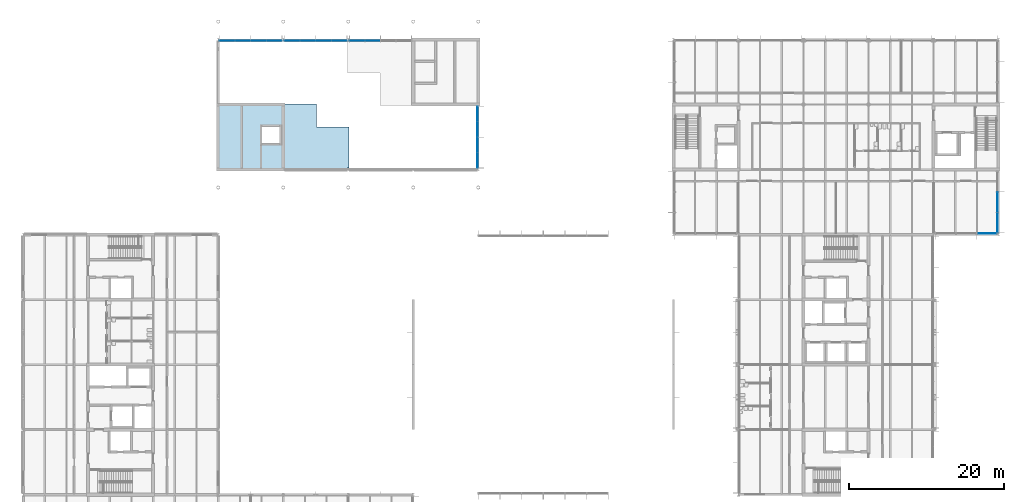
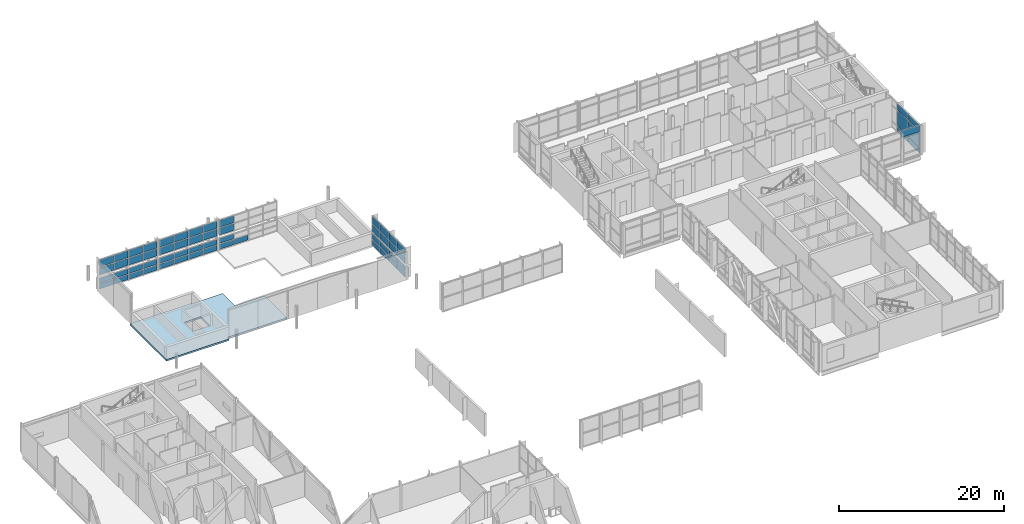
# One storey, part 35 of 72: 60 plates, 1 slab, 10 elements without a shape of their own.
"""IFC4 building model written with IfcOpenShell, lengths in metres."""

from ifc_helpers import new_model, si_unit, direction, frame, origin, origin_2d, place, context, subcontext, project, spatial, polyline, rectangle, outline, extrude, material, layer, layer_set, type_object, element, aggregate, save


model = new_model("IFC4")

# Units and contexts
model_context = context("Model", 3, precision=1e-05, world=origin(), true_north=direction((0.0, 1.0)))
body_context = subcontext(model_context, "Body", "Model", "MODEL_VIEW")
ifc_project = project(units=[si_unit("LENGTHUNIT", "METRE"), si_unit("AREAUNIT", "SQUARE_METRE"), si_unit("VOLUMEUNIT", "CUBIC_METRE"), si_unit("PLANEANGLEUNIT", "RADIAN"), si_unit("MASSUNIT", "GRAM", prefix="KILO")], contexts=[model_context])

# Site, building, storey
site_placement = place(None, origin())
site = spatial("IfcSite", under=ifc_project, at=site_placement, CompositionType="ELEMENT")
building_placement = place(site_placement, origin())
building = spatial("IfcBuilding", under=site, at=building_placement, Name="Hlaing Beacon Police Headquarters", CompositionType="ELEMENT")
storey_placement = place(building_placement, frame((0.0, 0.0, 14.39990234375)))
storey = spatial("IfcBuildingStorey", under=building, at=storey_placement, Name="L03", CompositionType="ELEMENT", Elevation=14.39990234375)

# Curtain wall, plates
ifc_material_1 = material(Name="Aluminium frame with solar control glazing", Category="aluminium")
curtain_wall_type_1 = type_object("IfcCurtainWallType", Name="Unitised curtain wall 8.07 x 1.80 (300 frame)", PredefinedType="NOTDEFINED", material=ifc_material_1)
curtain_wall_1_placement = place(storey_placement, origin())
curtain_wall_1 = element("IfcCurtainWall", 1, at=curtain_wall_1_placement, inside=storey, type_object=curtain_wall_type_1, Name="ENV-CW-L03-N005", PredefinedType="NOTDEFINED")
ifc_material_2 = material(Name="Solar control glazing", Category="glass")
ifc_layer_1 = layer(ifc_material_2, 0.02392578125)
ifc_layer_set_1 = layer_set([ifc_layer_1], Name="Solar control glazing")
plate_type_1 = type_object("IfcPlateType", Name="Clear glazing panel 24", PredefinedType="CURTAIN_PANEL", material=ifc_layer_set_1)
plate_1_placement = place(storey_placement, frame((53.55517578125, 92.25, 0.10009765625), z_axis=(0.0, 0.0, 1.0), x_axis=(-1.0, 0.0, 0.0)))
plate_1 = element("IfcPlate", 2, at=plate_1_placement, type_object=plate_type_1, Name="CW-L03-N005 panel 3.1", PredefinedType="CURTAIN_PANEL", context=body_context, shape_type="SweptSolid", body=[
    extrude(rectangle(XDim=1.9580078125, YDim=0.02392578125, at=origin_2d()), origin(), (0.0, 0.0, 1.0), 0.75),
])
plate_2_placement = place(storey_placement, frame((51.55224609375, 92.25, 0.10009765625), z_axis=(0.0, 0.0, 1.0), x_axis=(-1.0, 0.0, 0.0)))
plate_2 = element("IfcPlate", 3, at=plate_2_placement, type_object=plate_type_1, Name="CW-L03-N005 panel 4.1", PredefinedType="CURTAIN_PANEL", context=body_context, shape_type="SweptSolid", body=[
    extrude(rectangle(XDim=1.927978515625, YDim=0.02392578125, at=origin_2d()), origin(), (0.0, 0.0, 1.0), 0.75),
])
plate_3_placement = place(storey_placement, frame((51.55224609375, 92.25, 0.9501953125), z_axis=(0.0, 0.0, 1.0), x_axis=(-1.0, 0.0, 0.0)))
plate_3 = element("IfcPlate", 4, at=plate_3_placement, type_object=plate_type_1, Name="CW-L03-N005 panel 4.2", PredefinedType="CURTAIN_PANEL", context=body_context, shape_type="SweptSolid", body=[
    extrude(rectangle(XDim=1.927978515625, YDim=0.02392578125, at=origin_2d()), origin(), (0.0, 0.0, 1.0), 0.75),
])
aggregate(curtain_wall_1, [plate_1, plate_2, plate_3])

ifc_material_3 = material(Name="Aluminium frame with solar control glazing", Category="aluminium")
curtain_wall_type_2 = type_object("IfcCurtainWallType", Name="Unitised curtain wall 8.14 x 1.80 (300 frame)", PredefinedType="NOTDEFINED", material=ifc_material_3)
curtain_wall_2_placement = place(storey_placement, origin())
curtain_wall_2 = element("IfcCurtainWall", 5, at=curtain_wall_2_placement, inside=storey, type_object=curtain_wall_type_2, Name="ENV-CW-L03-N007", PredefinedType="NOTDEFINED")
plate_4_placement = place(storey_placement, frame((49.23876953125, 92.25, 0.10009765625), z_axis=(0.0, 0.0, 1.0), x_axis=(-1.0, 0.0, 0.0)))
plate_4 = element("IfcPlate", 6, at=plate_4_placement, type_object=plate_type_1, Name="CW-L03-N007 panel 1.1", PredefinedType="CURTAIN_PANEL", context=body_context, shape_type="SweptSolid", body=[
    extrude(rectangle(XDim=1.94580078125, YDim=0.02392578125, at=origin_2d()), origin(), (0.0, 0.0, 1.0), 0.75),
])
plate_5_placement = place(storey_placement, frame((49.23876953125, 92.25, 0.9501953125), z_axis=(0.0, 0.0, 1.0), x_axis=(-1.0, 0.0, 0.0)))
plate_5 = element("IfcPlate", 7, at=plate_5_placement, type_object=plate_type_1, Name="CW-L03-N007 panel 1.2", PredefinedType="CURTAIN_PANEL", context=body_context, shape_type="SweptSolid", body=[
    extrude(rectangle(XDim=1.94580078125, YDim=0.02392578125, at=origin_2d()), origin(), (0.0, 0.0, 1.0), 0.75),
])
plate_6_placement = place(storey_placement, frame((47.218017578125, 92.25, 0.10009765625), z_axis=(0.0, 0.0, 1.0), x_axis=(-1.0, 0.0, 0.0)))
plate_6 = element("IfcPlate", 8, at=plate_6_placement, type_object=plate_type_1, Name="CW-L03-N007 panel 2.1", PredefinedType="CURTAIN_PANEL", context=body_context, shape_type="SweptSolid", body=[
    extrude(rectangle(XDim=1.975830078125, YDim=0.02392578125, at=origin_2d()), origin(), (0.0, 0.0, 1.0), 0.75),
])
plate_7_placement = place(storey_placement, frame((47.218017578125, 92.25, 0.9501953125), z_axis=(0.0, 0.0, 1.0), x_axis=(-1.0, 0.0, 0.0)))
plate_7 = element("IfcPlate", 9, at=plate_7_placement, type_object=plate_type_1, Name="CW-L03-N007 panel 2.2", PredefinedType="CURTAIN_PANEL", context=body_context, shape_type="SweptSolid", body=[
    extrude(rectangle(XDim=1.975830078125, YDim=0.02392578125, at=origin_2d()), origin(), (0.0, 0.0, 1.0), 0.75),
])
plate_8_placement = place(storey_placement, frame((45.18212890625, 92.25, 0.10009765625), z_axis=(0.0, 0.0, 1.0), x_axis=(-1.0, 0.0, 0.0)))
plate_8 = element("IfcPlate", 10, at=plate_8_placement, type_object=plate_type_1, Name="CW-L03-N007 panel 3.1", PredefinedType="CURTAIN_PANEL", context=body_context, shape_type="SweptSolid", body=[
    extrude(rectangle(XDim=1.975830078125, YDim=0.02392578125, at=origin_2d()), origin(), (0.0, 0.0, 1.0), 0.75),
])
plate_9_placement = place(storey_placement, frame((45.18212890625, 92.25, 0.9501953125), z_axis=(0.0, 0.0, 1.0), x_axis=(-1.0, 0.0, 0.0)))
plate_9 = element("IfcPlate", 11, at=plate_9_placement, type_object=plate_type_1, Name="CW-L03-N007 panel 3.2", PredefinedType="CURTAIN_PANEL", context=body_context, shape_type="SweptSolid", body=[
    extrude(rectangle(XDim=1.975830078125, YDim=0.02392578125, at=origin_2d()), origin(), (0.0, 0.0, 1.0), 0.75),
])
plate_10_placement = place(storey_placement, frame((43.1611328125, 92.25, 0.10009765625), z_axis=(0.0, 0.0, 1.0), x_axis=(-1.0, 0.0, 0.0)))
plate_10 = element("IfcPlate", 12, at=plate_10_placement, type_object=plate_type_1, Name="CW-L03-N007 panel 4.1", PredefinedType="CURTAIN_PANEL", context=body_context, shape_type="SweptSolid", body=[
    extrude(rectangle(XDim=1.94580078125, YDim=0.02392578125, at=origin_2d()), origin(), (0.0, 0.0, 1.0), 0.75),
])
plate_11_placement = place(storey_placement, frame((43.1611328125, 92.25, 0.9501953125), z_axis=(0.0, 0.0, 1.0), x_axis=(-1.0, 0.0, 0.0)))
plate_11 = element("IfcPlate", 13, at=plate_11_placement, type_object=plate_type_1, Name="CW-L03-N007 panel 4.2", PredefinedType="CURTAIN_PANEL", context=body_context, shape_type="SweptSolid", body=[
    extrude(rectangle(XDim=1.94580078125, YDim=0.02392578125, at=origin_2d()), origin(), (0.0, 0.0, 1.0), 0.75),
])
aggregate(curtain_wall_2, [plate_4, plate_5, plate_6, plate_7, plate_8, plate_9, plate_10, plate_11])

curtain_wall_3_placement = place(storey_placement, origin())
curtain_wall_3 = element("IfcCurtainWall", 14, at=curtain_wall_3_placement, inside=storey, type_object=curtain_wall_type_2, Name="ENV-CW-L03-N009", PredefinedType="NOTDEFINED")
plate_12_placement = place(storey_placement, frame((40.838623046875, 92.25, 0.10009765625), z_axis=(0.0, 0.0, 1.0), x_axis=(-1.0, 0.0, 0.0)))
plate_12 = element("IfcPlate", 15, at=plate_12_placement, type_object=plate_type_1, Name="CW-L03-N009 panel 1.1", PredefinedType="CURTAIN_PANEL", context=body_context, shape_type="SweptSolid", body=[
    extrude(rectangle(XDim=1.9462890625, YDim=0.02392578125, at=origin_2d()), origin(), (0.0, 0.0, 1.0), 0.75),
])
plate_13_placement = place(storey_placement, frame((40.838623046875, 92.25, 0.9501953125), z_axis=(0.0, 0.0, 1.0), x_axis=(-1.0, 0.0, 0.0)))
plate_13 = element("IfcPlate", 16, at=plate_13_placement, type_object=plate_type_1, Name="CW-L03-N009 panel 1.2", PredefinedType="CURTAIN_PANEL", context=body_context, shape_type="SweptSolid", body=[
    extrude(rectangle(XDim=1.9462890625, YDim=0.02392578125, at=origin_2d()), origin(), (0.0, 0.0, 1.0), 0.75),
])
plate_14_placement = place(storey_placement, frame((38.8173828125, 92.25, 0.10009765625), z_axis=(0.0, 0.0, 1.0), x_axis=(-1.0, 0.0, 0.0)))
plate_14 = element("IfcPlate", 17, at=plate_14_placement, type_object=plate_type_1, Name="CW-L03-N009 panel 2.1", PredefinedType="CURTAIN_PANEL", context=body_context, shape_type="SweptSolid", body=[
    extrude(rectangle(XDim=1.97607421875, YDim=0.02392578125, at=origin_2d()), origin(), (0.0, 0.0, 1.0), 0.75),
])
plate_15_placement = place(storey_placement, frame((38.8173828125, 92.25, 0.9501953125), z_axis=(0.0, 0.0, 1.0), x_axis=(-1.0, 0.0, 0.0)))
plate_15 = element("IfcPlate", 18, at=plate_15_placement, type_object=plate_type_1, Name="CW-L03-N009 panel 2.2", PredefinedType="CURTAIN_PANEL", context=body_context, shape_type="SweptSolid", body=[
    extrude(rectangle(XDim=1.97607421875, YDim=0.02392578125, at=origin_2d()), origin(), (0.0, 0.0, 1.0), 0.75),
])
plate_16_placement = place(storey_placement, frame((36.78125, 92.25, 0.10009765625), z_axis=(0.0, 0.0, 1.0), x_axis=(-1.0, 0.0, 0.0)))
plate_16 = element("IfcPlate", 19, at=plate_16_placement, type_object=plate_type_1, Name="CW-L03-N009 panel 3.1", PredefinedType="CURTAIN_PANEL", context=body_context, shape_type="SweptSolid", body=[
    extrude(rectangle(XDim=1.97607421875, YDim=0.02392578125, at=origin_2d()), origin(), (0.0, 0.0, 1.0), 0.75),
])
plate_17_placement = place(storey_placement, frame((36.78125, 92.25, 0.9501953125), z_axis=(0.0, 0.0, 1.0), x_axis=(-1.0, 0.0, 0.0)))
plate_17 = element("IfcPlate", 20, at=plate_17_placement, type_object=plate_type_1, Name="CW-L03-N009 panel 3.2", PredefinedType="CURTAIN_PANEL", context=body_context, shape_type="SweptSolid", body=[
    extrude(rectangle(XDim=1.97607421875, YDim=0.02392578125, at=origin_2d()), origin(), (0.0, 0.0, 1.0), 0.75),
])
plate_18_placement = place(storey_placement, frame((34.760009765625, 92.25, 0.10009765625), z_axis=(0.0, 0.0, 1.0), x_axis=(-1.0, 0.0, 0.0)))
plate_18 = element("IfcPlate", 21, at=plate_18_placement, type_object=plate_type_1, Name="CW-L03-N009 panel 4.1", PredefinedType="CURTAIN_PANEL", context=body_context, shape_type="SweptSolid", body=[
    extrude(rectangle(XDim=1.9462890625, YDim=0.02392578125, at=origin_2d()), origin(), (0.0, 0.0, 1.0), 0.75),
])
plate_19_placement = place(storey_placement, frame((34.760009765625, 92.25, 0.9501953125), z_axis=(0.0, 0.0, 1.0), x_axis=(-1.0, 0.0, 0.0)))
plate_19 = element("IfcPlate", 22, at=plate_19_placement, type_object=plate_type_1, Name="CW-L03-N009 panel 4.2", PredefinedType="CURTAIN_PANEL", context=body_context, shape_type="SweptSolid", body=[
    extrude(rectangle(XDim=1.9462890625, YDim=0.02392578125, at=origin_2d()), origin(), (0.0, 0.0, 1.0), 0.75),
])
aggregate(curtain_wall_3, [plate_12, plate_13, plate_14, plate_15, plate_16, plate_17, plate_18, plate_19])

ifc_material_4 = material(Name="Aluminium frame with solar control glazing", Category="aluminium")
curtain_wall_type_3 = type_object("IfcCurtainWallType", Name="Unitised curtain wall 8.02 x 1.90", PredefinedType="NOTDEFINED", material=ifc_material_4)
curtain_wall_4_placement = place(storey_placement, origin())
curtain_wall_4 = element("IfcCurtainWall", 23, at=curtain_wall_4_placement, inside=storey, type_object=curtain_wall_type_3, Name="ENV-CW-L03-E011", PredefinedType="NOTDEFINED")
plate_20_placement = place(storey_placement, frame((67.10009765625, 76.795654296875, 0.10009765625), z_axis=(0.0, 0.0, 1.0), x_axis=(0.0, 1.0, 0.0)))
plate_20 = element("IfcPlate", 24, at=plate_20_placement, type_object=plate_type_1, Name="CW-L03-E011 panel 1.1", PredefinedType="CURTAIN_PANEL", context=body_context, shape_type="SweptSolid", body=[
    extrude(rectangle(XDim=1.91552734375, YDim=0.02392578125, at=origin_2d()), origin(), (0.0, 0.0, 1.0), 0.799072265625),
])
plate_21_placement = place(storey_placement, frame((67.10009765625, 76.795654296875, 0.9990234375), z_axis=(0.0, 0.0, 1.0), x_axis=(0.0, 1.0, 0.0)))
plate_21 = element("IfcPlate", 25, at=plate_21_placement, type_object=plate_type_1, Name="CW-L03-E011 panel 1.2", PredefinedType="CURTAIN_PANEL", context=body_context, shape_type="SweptSolid", body=[
    extrude(rectangle(XDim=1.91552734375, YDim=0.02392578125, at=origin_2d()), origin(), (0.0, 0.0, 1.0), 0.798095703125),
])
plate_22_placement = place(storey_placement, frame((67.10009765625, 78.7861328125, 0.10009765625), z_axis=(0.0, 0.0, 1.0), x_axis=(0.0, 1.0, 0.0)))
plate_22 = element("IfcPlate", 26, at=plate_22_placement, type_object=plate_type_1, Name="CW-L03-E011 panel 2.1", PredefinedType="CURTAIN_PANEL", context=body_context, shape_type="SweptSolid", body=[
    extrude(rectangle(XDim=1.945556640625, YDim=0.02392578125, at=origin_2d()), origin(), (0.0, 0.0, 1.0), 0.799072265625),
])
plate_23_placement = place(storey_placement, frame((67.10009765625, 78.7861328125, 0.9990234375), z_axis=(0.0, 0.0, 1.0), x_axis=(0.0, 1.0, 0.0)))
plate_23 = element("IfcPlate", 27, at=plate_23_placement, type_object=plate_type_1, Name="CW-L03-E011 panel 2.2", PredefinedType="CURTAIN_PANEL", context=body_context, shape_type="SweptSolid", body=[
    extrude(rectangle(XDim=1.945556640625, YDim=0.02392578125, at=origin_2d()), origin(), (0.0, 0.0, 1.0), 0.798095703125),
])
plate_24_placement = place(storey_placement, frame((67.10009765625, 80.791748046875, 0.10009765625), z_axis=(0.0, 0.0, 1.0), x_axis=(0.0, 1.0, 0.0)))
plate_24 = element("IfcPlate", 28, at=plate_24_placement, type_object=plate_type_1, Name="CW-L03-E011 panel 3.1", PredefinedType="CURTAIN_PANEL", context=body_context, shape_type="SweptSolid", body=[
    extrude(rectangle(XDim=1.945556640625, YDim=0.02392578125, at=origin_2d()), origin(), (0.0, 0.0, 1.0), 0.799072265625),
])
plate_25_placement = place(storey_placement, frame((67.10009765625, 80.791748046875, 0.9990234375), z_axis=(0.0, 0.0, 1.0), x_axis=(0.0, 1.0, 0.0)))
plate_25 = element("IfcPlate", 29, at=plate_25_placement, type_object=plate_type_1, Name="CW-L03-E011 panel 3.2", PredefinedType="CURTAIN_PANEL", context=body_context, shape_type="SweptSolid", body=[
    extrude(rectangle(XDim=1.945556640625, YDim=0.02392578125, at=origin_2d()), origin(), (0.0, 0.0, 1.0), 0.798095703125),
])
plate_26_placement = place(storey_placement, frame((67.10009765625, 82.7822265625, 0.10009765625), z_axis=(0.0, 0.0, 1.0), x_axis=(0.0, 1.0, 0.0)))
plate_26 = element("IfcPlate", 30, at=plate_26_placement, type_object=plate_type_1, Name="CW-L03-E011 panel 4.1", PredefinedType="CURTAIN_PANEL", context=body_context, shape_type="SweptSolid", body=[
    extrude(rectangle(XDim=1.91552734375, YDim=0.02392578125, at=origin_2d()), origin(), (0.0, 0.0, 1.0), 0.799072265625),
])
plate_27_placement = place(storey_placement, frame((67.10009765625, 82.7822265625, 0.9990234375), z_axis=(0.0, 0.0, 1.0), x_axis=(0.0, 1.0, 0.0)))
plate_27 = element("IfcPlate", 31, at=plate_27_placement, type_object=plate_type_1, Name="CW-L03-E011 panel 4.2", PredefinedType="CURTAIN_PANEL", context=body_context, shape_type="SweptSolid", body=[
    extrude(rectangle(XDim=1.91552734375, YDim=0.02392578125, at=origin_2d()), origin(), (0.0, 0.0, 1.0), 0.798095703125),
])
aggregate(curtain_wall_4, [plate_20, plate_21, plate_22, plate_23, plate_24, plate_25, plate_26, plate_27])

ifc_material_5 = material(Name="Aluminium frame with solar control glazing", Category="aluminium")
curtain_wall_type_4 = type_object("IfcCurtainWallType", Name="Unitised curtain wall 8.07 x 2.40 (300 frame)", PredefinedType="NOTDEFINED", material=ifc_material_5)
curtain_wall_5_placement = place(storey_placement, origin())
curtain_wall_5 = element("IfcCurtainWall", 32, at=curtain_wall_5_placement, inside=storey, type_object=curtain_wall_type_4, Name="ENV-CW-L03-N006", PredefinedType="NOTDEFINED")
ifc_material_6 = material(Name="Solar control glazing", Category="glass")
ifc_layer_2 = layer(ifc_material_6, 0.031982421875)
ifc_layer_set_2 = layer_set([ifc_layer_2], Name="Solar control glazing")
plate_type_2 = type_object("IfcPlateType", Name="Clear glazing panel 32", PredefinedType="CURTAIN_PANEL", material=ifc_layer_set_2)
plate_28_placement = place(storey_placement, frame((51.55224609375, 92.25, 2.205078125), z_axis=(0.0, 0.0, 1.0), x_axis=(-1.0, 0.0, 0.0)))
plate_28 = element("IfcPlate", 33, at=plate_28_placement, type_object=plate_type_2, Name="CW-L03-N006 panel 4.1", PredefinedType="CURTAIN_PANEL", context=body_context, shape_type="SweptSolid", body=[
    extrude(rectangle(XDim=1.927978515625, YDim=0.031982421875, at=origin_2d()), origin(), (0.0, 0.0, 1.0), 1.048095703125),
])
plate_29_placement = place(storey_placement, frame((51.55224609375, 92.25, 3.35302734375), z_axis=(0.0, 0.0, 1.0), x_axis=(-1.0, 0.0, 0.0)))
plate_29 = element("IfcPlate", 34, at=plate_29_placement, type_object=plate_type_2, Name="CW-L03-N006 panel 4.2", PredefinedType="CURTAIN_PANEL", context=body_context, shape_type="SweptSolid", body=[
    extrude(rectangle(XDim=1.927978515625, YDim=0.031982421875, at=origin_2d()), origin(), (0.0, 0.0, 1.0), 1.047119140625),
])
aggregate(curtain_wall_5, [plate_28, plate_29])

ifc_material_7 = material(Name="Aluminium frame with solar control glazing", Category="aluminium")
curtain_wall_type_5 = type_object("IfcCurtainWallType", Name="Unitised curtain wall 8.14 x 2.40 (300 frame)", PredefinedType="NOTDEFINED", material=ifc_material_7)
curtain_wall_6_placement = place(storey_placement, origin())
curtain_wall_6 = element("IfcCurtainWall", 35, at=curtain_wall_6_placement, inside=storey, type_object=curtain_wall_type_5, Name="ENV-CW-L03-N008", PredefinedType="NOTDEFINED")
plate_30_placement = place(storey_placement, frame((49.23876953125, 92.25, 2.205078125), z_axis=(0.0, 0.0, 1.0), x_axis=(-1.0, 0.0, 0.0)))
plate_30 = element("IfcPlate", 36, at=plate_30_placement, type_object=plate_type_2, Name="CW-L03-N008 panel 1.1", PredefinedType="CURTAIN_PANEL", context=body_context, shape_type="SweptSolid", body=[
    extrude(rectangle(XDim=1.94580078125, YDim=0.031982421875, at=origin_2d()), origin(), (0.0, 0.0, 1.0), 1.048095703125),
])
plate_31_placement = place(storey_placement, frame((49.23876953125, 92.25, 3.35302734375), z_axis=(0.0, 0.0, 1.0), x_axis=(-1.0, 0.0, 0.0)))
plate_31 = element("IfcPlate", 37, at=plate_31_placement, type_object=plate_type_2, Name="CW-L03-N008 panel 1.2", PredefinedType="CURTAIN_PANEL", context=body_context, shape_type="SweptSolid", body=[
    extrude(rectangle(XDim=1.94580078125, YDim=0.031982421875, at=origin_2d()), origin(), (0.0, 0.0, 1.0), 1.047119140625),
])
plate_32_placement = place(storey_placement, frame((47.218017578125, 92.25, 2.205078125), z_axis=(0.0, 0.0, 1.0), x_axis=(-1.0, 0.0, 0.0)))
plate_32 = element("IfcPlate", 38, at=plate_32_placement, type_object=plate_type_2, Name="CW-L03-N008 panel 2.1", PredefinedType="CURTAIN_PANEL", context=body_context, shape_type="SweptSolid", body=[
    extrude(rectangle(XDim=1.975830078125, YDim=0.031982421875, at=origin_2d()), origin(), (0.0, 0.0, 1.0), 1.048095703125),
])
plate_33_placement = place(storey_placement, frame((47.218017578125, 92.25, 3.35302734375), z_axis=(0.0, 0.0, 1.0), x_axis=(-1.0, 0.0, 0.0)))
plate_33 = element("IfcPlate", 39, at=plate_33_placement, type_object=plate_type_2, Name="CW-L03-N008 panel 2.2", PredefinedType="CURTAIN_PANEL", context=body_context, shape_type="SweptSolid", body=[
    extrude(rectangle(XDim=1.975830078125, YDim=0.031982421875, at=origin_2d()), origin(), (0.0, 0.0, 1.0), 1.047119140625),
])
plate_34_placement = place(storey_placement, frame((45.18212890625, 92.25, 2.205078125), z_axis=(0.0, 0.0, 1.0), x_axis=(-1.0, 0.0, 0.0)))
plate_34 = element("IfcPlate", 40, at=plate_34_placement, type_object=plate_type_2, Name="CW-L03-N008 panel 3.1", PredefinedType="CURTAIN_PANEL", context=body_context, shape_type="SweptSolid", body=[
    extrude(rectangle(XDim=1.975830078125, YDim=0.031982421875, at=origin_2d()), origin(), (0.0, 0.0, 1.0), 1.048095703125),
])
plate_35_placement = place(storey_placement, frame((45.18212890625, 92.25, 3.35302734375), z_axis=(0.0, 0.0, 1.0), x_axis=(-1.0, 0.0, 0.0)))
plate_35 = element("IfcPlate", 41, at=plate_35_placement, type_object=plate_type_2, Name="CW-L03-N008 panel 3.2", PredefinedType="CURTAIN_PANEL", context=body_context, shape_type="SweptSolid", body=[
    extrude(rectangle(XDim=1.975830078125, YDim=0.031982421875, at=origin_2d()), origin(), (0.0, 0.0, 1.0), 1.047119140625),
])
plate_36_placement = place(storey_placement, frame((43.1611328125, 92.25, 2.205078125), z_axis=(0.0, 0.0, 1.0), x_axis=(-1.0, 0.0, 0.0)))
plate_36 = element("IfcPlate", 42, at=plate_36_placement, type_object=plate_type_2, Name="CW-L03-N008 panel 4.1", PredefinedType="CURTAIN_PANEL", context=body_context, shape_type="SweptSolid", body=[
    extrude(rectangle(XDim=1.94580078125, YDim=0.031982421875, at=origin_2d()), origin(), (0.0, 0.0, 1.0), 1.048095703125),
])
plate_37_placement = place(storey_placement, frame((43.1611328125, 92.25, 3.35302734375), z_axis=(0.0, 0.0, 1.0), x_axis=(-1.0, 0.0, 0.0)))
plate_37 = element("IfcPlate", 43, at=plate_37_placement, type_object=plate_type_2, Name="CW-L03-N008 panel 4.2", PredefinedType="CURTAIN_PANEL", context=body_context, shape_type="SweptSolid", body=[
    extrude(rectangle(XDim=1.94580078125, YDim=0.031982421875, at=origin_2d()), origin(), (0.0, 0.0, 1.0), 1.047119140625),
])
aggregate(curtain_wall_6, [plate_30, plate_31, plate_32, plate_33, plate_34, plate_35, plate_36, plate_37])

curtain_wall_7_placement = place(storey_placement, origin())
curtain_wall_7 = element("IfcCurtainWall", 44, at=curtain_wall_7_placement, inside=storey, type_object=curtain_wall_type_5, Name="ENV-CW-L03-N010", PredefinedType="NOTDEFINED")
plate_38_placement = place(storey_placement, frame((40.838623046875, 92.25, 2.205078125), z_axis=(0.0, 0.0, 1.0), x_axis=(-1.0, 0.0, 0.0)))
plate_38 = element("IfcPlate", 45, at=plate_38_placement, type_object=plate_type_2, Name="CW-L03-N010 panel 1.1", PredefinedType="CURTAIN_PANEL", context=body_context, shape_type="SweptSolid", body=[
    extrude(rectangle(XDim=1.9462890625, YDim=0.031982421875, at=origin_2d()), origin(), (0.0, 0.0, 1.0), 1.048095703125),
])
plate_39_placement = place(storey_placement, frame((40.838623046875, 92.25, 3.35302734375), z_axis=(0.0, 0.0, 1.0), x_axis=(-1.0, 0.0, 0.0)))
plate_39 = element("IfcPlate", 46, at=plate_39_placement, type_object=plate_type_2, Name="CW-L03-N010 panel 1.2", PredefinedType="CURTAIN_PANEL", context=body_context, shape_type="SweptSolid", body=[
    extrude(rectangle(XDim=1.9462890625, YDim=0.031982421875, at=origin_2d()), origin(), (0.0, 0.0, 1.0), 1.047119140625),
])
plate_40_placement = place(storey_placement, frame((38.8173828125, 92.25, 2.205078125), z_axis=(0.0, 0.0, 1.0), x_axis=(-1.0, 0.0, 0.0)))
plate_40 = element("IfcPlate", 47, at=plate_40_placement, type_object=plate_type_2, Name="CW-L03-N010 panel 2.1", PredefinedType="CURTAIN_PANEL", context=body_context, shape_type="SweptSolid", body=[
    extrude(rectangle(XDim=1.97607421875, YDim=0.031982421875, at=origin_2d()), origin(), (0.0, 0.0, 1.0), 1.048095703125),
])
plate_41_placement = place(storey_placement, frame((38.8173828125, 92.25, 3.35302734375), z_axis=(0.0, 0.0, 1.0), x_axis=(-1.0, 0.0, 0.0)))
plate_41 = element("IfcPlate", 48, at=plate_41_placement, type_object=plate_type_2, Name="CW-L03-N010 panel 2.2", PredefinedType="CURTAIN_PANEL", context=body_context, shape_type="SweptSolid", body=[
    extrude(rectangle(XDim=1.97607421875, YDim=0.031982421875, at=origin_2d()), origin(), (0.0, 0.0, 1.0), 1.047119140625),
])
plate_42_placement = place(storey_placement, frame((36.78125, 92.25, 2.205078125), z_axis=(0.0, 0.0, 1.0), x_axis=(-1.0, 0.0, 0.0)))
plate_42 = element("IfcPlate", 49, at=plate_42_placement, type_object=plate_type_2, Name="CW-L03-N010 panel 3.1", PredefinedType="CURTAIN_PANEL", context=body_context, shape_type="SweptSolid", body=[
    extrude(rectangle(XDim=1.97607421875, YDim=0.031982421875, at=origin_2d()), origin(), (0.0, 0.0, 1.0), 1.048095703125),
])
plate_43_placement = place(storey_placement, frame((36.78125, 92.25, 3.35302734375), z_axis=(0.0, 0.0, 1.0), x_axis=(-1.0, 0.0, 0.0)))
plate_43 = element("IfcPlate", 50, at=plate_43_placement, type_object=plate_type_2, Name="CW-L03-N010 panel 3.2", PredefinedType="CURTAIN_PANEL", context=body_context, shape_type="SweptSolid", body=[
    extrude(rectangle(XDim=1.97607421875, YDim=0.031982421875, at=origin_2d()), origin(), (0.0, 0.0, 1.0), 1.047119140625),
])
plate_44_placement = place(storey_placement, frame((34.760009765625, 92.25, 2.205078125), z_axis=(0.0, 0.0, 1.0), x_axis=(-1.0, 0.0, 0.0)))
plate_44 = element("IfcPlate", 51, at=plate_44_placement, type_object=plate_type_2, Name="CW-L03-N010 panel 4.1", PredefinedType="CURTAIN_PANEL", context=body_context, shape_type="SweptSolid", body=[
    extrude(rectangle(XDim=1.9462890625, YDim=0.031982421875, at=origin_2d()), origin(), (0.0, 0.0, 1.0), 1.048095703125),
])
plate_45_placement = place(storey_placement, frame((34.760009765625, 92.25, 3.35302734375), z_axis=(0.0, 0.0, 1.0), x_axis=(-1.0, 0.0, 0.0)))
plate_45 = element("IfcPlate", 52, at=plate_45_placement, type_object=plate_type_2, Name="CW-L03-N010 panel 4.2", PredefinedType="CURTAIN_PANEL", context=body_context, shape_type="SweptSolid", body=[
    extrude(rectangle(XDim=1.9462890625, YDim=0.031982421875, at=origin_2d()), origin(), (0.0, 0.0, 1.0), 1.047119140625),
])
aggregate(curtain_wall_7, [plate_38, plate_39, plate_40, plate_41, plate_42, plate_43, plate_44, plate_45])

ifc_material_8 = material(Name="Aluminium frame with solar control glazing", Category="aluminium")
curtain_wall_type_6 = type_object("IfcCurtainWallType", Name="Unitised curtain wall 8.02 x 2.49", PredefinedType="NOTDEFINED", material=ifc_material_8)
curtain_wall_8_placement = place(storey_placement, origin())
curtain_wall_8 = element("IfcCurtainWall", 53, at=curtain_wall_8_placement, inside=storey, type_object=curtain_wall_type_6, Name="ENV-CW-L03-E012", PredefinedType="NOTDEFINED")
plate_46_placement = place(storey_placement, frame((67.10009765625, 76.795654296875, 2.10791015625), z_axis=(0.0, 0.0, 1.0), x_axis=(0.0, 1.0, 0.0)))
plate_46 = element("IfcPlate", 54, at=plate_46_placement, type_object=plate_type_2, Name="CW-L03-E012 panel 1.1", PredefinedType="CURTAIN_PANEL", context=body_context, shape_type="SweptSolid", body=[
    extrude(rectangle(XDim=1.91552734375, YDim=0.031982421875, at=origin_2d()), origin(), (0.0, 0.0, 1.0), 1.095947265625),
])
plate_47_placement = place(storey_placement, frame((67.10009765625, 76.795654296875, 3.303955078125), z_axis=(0.0, 0.0, 1.0), x_axis=(0.0, 1.0, 0.0)))
plate_47 = element("IfcPlate", 55, at=plate_47_placement, type_object=plate_type_2, Name="CW-L03-E012 panel 1.2", PredefinedType="CURTAIN_PANEL", context=body_context, shape_type="SweptSolid", body=[
    extrude(rectangle(XDim=1.91552734375, YDim=0.031982421875, at=origin_2d()), origin(), (0.0, 0.0, 1.0), 1.09619140625),
])
plate_48_placement = place(storey_placement, frame((67.10009765625, 78.7861328125, 2.10791015625), z_axis=(0.0, 0.0, 1.0), x_axis=(0.0, 1.0, 0.0)))
plate_48 = element("IfcPlate", 56, at=plate_48_placement, type_object=plate_type_2, Name="CW-L03-E012 panel 2.1", PredefinedType="CURTAIN_PANEL", context=body_context, shape_type="SweptSolid", body=[
    extrude(rectangle(XDim=1.945556640625, YDim=0.031982421875, at=origin_2d()), origin(), (0.0, 0.0, 1.0), 1.095947265625),
])
plate_49_placement = place(storey_placement, frame((67.10009765625, 78.7861328125, 3.303955078125), z_axis=(0.0, 0.0, 1.0), x_axis=(0.0, 1.0, 0.0)))
plate_49 = element("IfcPlate", 57, at=plate_49_placement, type_object=plate_type_2, Name="CW-L03-E012 panel 2.2", PredefinedType="CURTAIN_PANEL", context=body_context, shape_type="SweptSolid", body=[
    extrude(rectangle(XDim=1.945556640625, YDim=0.031982421875, at=origin_2d()), origin(), (0.0, 0.0, 1.0), 1.09619140625),
])
plate_50_placement = place(storey_placement, frame((67.10009765625, 80.791748046875, 2.10791015625), z_axis=(0.0, 0.0, 1.0), x_axis=(0.0, 1.0, 0.0)))
plate_50 = element("IfcPlate", 58, at=plate_50_placement, type_object=plate_type_2, Name="CW-L03-E012 panel 3.1", PredefinedType="CURTAIN_PANEL", context=body_context, shape_type="SweptSolid", body=[
    extrude(rectangle(XDim=1.945556640625, YDim=0.031982421875, at=origin_2d()), origin(), (0.0, 0.0, 1.0), 1.095947265625),
])
plate_51_placement = place(storey_placement, frame((67.10009765625, 80.791748046875, 3.303955078125), z_axis=(0.0, 0.0, 1.0), x_axis=(0.0, 1.0, 0.0)))
plate_51 = element("IfcPlate", 59, at=plate_51_placement, type_object=plate_type_2, Name="CW-L03-E012 panel 3.2", PredefinedType="CURTAIN_PANEL", context=body_context, shape_type="SweptSolid", body=[
    extrude(rectangle(XDim=1.945556640625, YDim=0.031982421875, at=origin_2d()), origin(), (0.0, 0.0, 1.0), 1.09619140625),
])
plate_52_placement = place(storey_placement, frame((67.10009765625, 82.7822265625, 2.10791015625), z_axis=(0.0, 0.0, 1.0), x_axis=(0.0, 1.0, 0.0)))
plate_52 = element("IfcPlate", 60, at=plate_52_placement, type_object=plate_type_2, Name="CW-L03-E012 panel 4.1", PredefinedType="CURTAIN_PANEL", context=body_context, shape_type="SweptSolid", body=[
    extrude(rectangle(XDim=1.91552734375, YDim=0.031982421875, at=origin_2d()), origin(), (0.0, 0.0, 1.0), 1.095947265625),
])
plate_53_placement = place(storey_placement, frame((67.10009765625, 82.7822265625, 3.303955078125), z_axis=(0.0, 0.0, 1.0), x_axis=(0.0, 1.0, 0.0)))
plate_53 = element("IfcPlate", 61, at=plate_53_placement, type_object=plate_type_2, Name="CW-L03-E012 panel 4.2", PredefinedType="CURTAIN_PANEL", context=body_context, shape_type="SweptSolid", body=[
    extrude(rectangle(XDim=1.91552734375, YDim=0.031982421875, at=origin_2d()), origin(), (0.0, 0.0, 1.0), 1.09619140625),
])
aggregate(curtain_wall_8, [plate_46, plate_47, plate_48, plate_49, plate_50, plate_51, plate_52, plate_53])

# Slab
ifc_material_9 = material(Name="Concrete C40/50", Category="concrete")
ifc_layer_3 = layer(ifc_material_9, 0.25)
ifc_layer_set_3 = layer_set([ifc_layer_3], Name="Concrete C40/50")
slab_type = type_object("IfcSlabType", Name="Enclosure roof slab 250", PredefinedType="ROOF", material=ifc_layer_set_3)
slab_placement = place(storey_placement, frame((0.0, 0.0, -0.25)))
element("IfcSlab", 62, at=slab_placement, inside=storey, type_object=slab_type, Name="STR-SLAB-L03-V2-CAP01", PredefinedType="ROOF", context=body_context, shape_type="SweptSolid", body=[
    extrude(outline(polyline([(33.39990234375, 75.39990234375), (42.199951171875, 75.39990234375), (42.199951171875, 75.75), (50.215087890625, 75.75), (50.215087890625, 75.780029296875), (50.5, 75.780029296875), (50.5, 81.10009765625), (46.300048828125, 81.10009765625), (46.300048828125, 84.10009765625), (42.199951171875, 84.10009765625), (42.199951171875, 84.199951171875), (33.39990234375, 84.199951171875), (33.39990234375, 75.39990234375)]), holes=[polyline([(39.25, 79.0), (41.550048828125, 79.0), (41.550048828125, 81.14990234375), (39.25, 81.14990234375), (39.25, 79.0)])]), origin(), (0.0, 0.0, 1.0), 0.25),
])

# Curtain wall, plates
ifc_material_10 = material(Name="Aluminium frame with solar control glazing", Category="aluminium")
curtain_wall_type_7 = type_object("IfcCurtainWallType", Name="Structural glazed gable wall 8.02 x 4.37", PredefinedType="NOTDEFINED", material=ifc_material_10)
curtain_wall_9_placement = place(storey_placement, origin())
curtain_wall_9 = element("IfcCurtainWall", 63, at=curtain_wall_9_placement, inside=storey, type_object=curtain_wall_type_7, Name="ENV-CW-L03-E026", PredefinedType="NOTDEFINED")
ifc_material_11 = material(Name="Insulated aluminium spandrel", Category="aluminium")
ifc_layer_4 = layer(ifc_material_11, 0.06005859375)
ifc_layer_set_4 = layer_set([ifc_layer_4], Name="Insulated aluminium spandrel")
plate_type_3 = type_object("IfcPlateType", Name="Insulated spandrel panel 60", PredefinedType="CURTAIN_PANEL", material=ifc_layer_set_4)
plate_54_placement = place(storey_placement, frame((134.25, 68.733642578125, 0.10009765625), z_axis=(0.0, 0.0, 1.0), x_axis=(0.0, 1.0, 0.0)))
plate_54 = element("IfcPlate", 64, at=plate_54_placement, type_object=plate_type_3, Name="CW-L03-E026 panel 1.1", PredefinedType="CURTAIN_PANEL", context=body_context, shape_type="SweptSolid", body=[
    extrude(rectangle(XDim=2.554443359375, YDim=0.06005859375, at=origin_2d()), origin(), (0.0, 0.0, 1.0), 0.75),
])
plate_55_placement = place(storey_placement, frame((134.25, 71.38818359375, 0.10009765625), z_axis=(0.0, 0.0, 1.0), x_axis=(0.0, 1.0, 0.0)))
plate_55 = element("IfcPlate", 65, at=plate_55_placement, type_object=plate_type_3, Name="CW-L03-E026 panel 2.1", PredefinedType="CURTAIN_PANEL", context=body_context, shape_type="SweptSolid", body=[
    extrude(rectangle(XDim=2.594482421875, YDim=0.06005859375, at=origin_2d()), origin(), (0.0, 0.0, 1.0), 0.75),
])

# Curtain wall, plate
ifc_material_12 = material(Name="Aluminium frame with solar control glazing", Category="aluminium")
curtain_wall_type_8 = type_object("IfcCurtainWallType", Name="Structural glazed gable wall 8.09 x 4.37", PredefinedType="NOTDEFINED", material=ifc_material_12)
curtain_wall_10_placement = place(storey_placement, origin())
curtain_wall_10 = element("IfcCurtainWall", 66, at=curtain_wall_10_placement, inside=storey, type_object=curtain_wall_type_8, Name="ENV-CW-L03-S025", PredefinedType="NOTDEFINED")
ifc_material_13 = material(Name="Laminated solar control glazing", Category="glass")
ifc_layer_5 = layer(ifc_material_13, 0.031982421875)
ifc_layer_set_5 = layer_set([ifc_layer_5], Name="Laminated solar control glazing")
plate_type_4 = type_object("IfcPlateType", Name="Laminated glazing panel 32", PredefinedType="CURTAIN_PANEL", material=ifc_layer_set_5)
plate_56_placement = place(storey_placement, frame((132.9052734375, 67.35009765625, 3.35009765625), z_axis=(0.0, 0.0, 1.0), x_axis=(1.0, 0.0, 0.0)))
plate_56 = element("IfcPlate", 67, at=plate_56_placement, type_object=plate_type_4, Name="CW-L03-S025 panel 3.3", PredefinedType="CURTAIN_PANEL", context=body_context, shape_type="SweptSolid", body=[
    extrude(rectangle(XDim=2.575439453125, YDim=0.031982421875, at=origin_2d()), origin(), (0.0, 0.0, 1.0), 0.919921875),
])
aggregate(curtain_wall_10, [plate_56])

# Plate
plate_57_placement = place(storey_placement, frame((134.25, 68.733642578125, 3.35009765625), z_axis=(0.0, 0.0, 1.0), x_axis=(0.0, 1.0, 0.0)))
plate_57 = element("IfcPlate", 68, at=plate_57_placement, type_object=plate_type_4, Name="CW-L03-E026 panel 1.3", PredefinedType="CURTAIN_PANEL", context=body_context, shape_type="SweptSolid", body=[
    extrude(rectangle(XDim=2.554443359375, YDim=0.031982421875, at=origin_2d()), origin(), (0.0, 0.0, 1.0), 0.919921875),
])

plate_58_placement = place(storey_placement, frame((134.25, 71.38818359375, 3.35009765625), z_axis=(0.0, 0.0, 1.0), x_axis=(0.0, 1.0, 0.0)))
plate_58 = element("IfcPlate", 69, at=plate_58_placement, type_object=plate_type_4, Name="CW-L03-E026 panel 2.3", PredefinedType="CURTAIN_PANEL", context=body_context, shape_type="SweptSolid", body=[
    extrude(rectangle(XDim=2.594482421875, YDim=0.031982421875, at=origin_2d()), origin(), (0.0, 0.0, 1.0), 0.919921875),
])

ifc_material_14 = material(Name="Laminated solar control glazing", Category="glass")
ifc_layer_6 = layer(ifc_material_14, 0.0439453125)
ifc_layer_set_6 = layer_set([ifc_layer_6], Name="Laminated solar control glazing")
plate_type_5 = type_object("IfcPlateType", Name="Laminated glazing panel 44", PredefinedType="CURTAIN_PANEL", material=ifc_layer_set_6)
plate_59_placement = place(storey_placement, frame((134.25, 68.733642578125, 0.9501953125), z_axis=(0.0, 0.0, 1.0), x_axis=(0.0, 1.0, 0.0)))
plate_59 = element("IfcPlate", 70, at=plate_59_placement, type_object=plate_type_5, Name="CW-L03-E026 panel 1.2", PredefinedType="CURTAIN_PANEL", context=body_context, shape_type="SweptSolid", body=[
    extrude(rectangle(XDim=2.554443359375, YDim=0.0439453125, at=origin_2d()), origin(), (0.0, 0.0, 1.0), 2.300048828125),
])

plate_60_placement = place(storey_placement, frame((134.25, 71.38818359375, 0.9501953125), z_axis=(0.0, 0.0, 1.0), x_axis=(0.0, 1.0, 0.0)))
plate_60 = element("IfcPlate", 71, at=plate_60_placement, type_object=plate_type_5, Name="CW-L03-E026 panel 2.2", PredefinedType="CURTAIN_PANEL", context=body_context, shape_type="SweptSolid", body=[
    extrude(rectangle(XDim=2.594482421875, YDim=0.0439453125, at=origin_2d()), origin(), (0.0, 0.0, 1.0), 2.300048828125),
])

aggregate(curtain_wall_9, [plate_54, plate_59, plate_57, plate_55, plate_60, plate_58])

save(model, "model.ifc")
